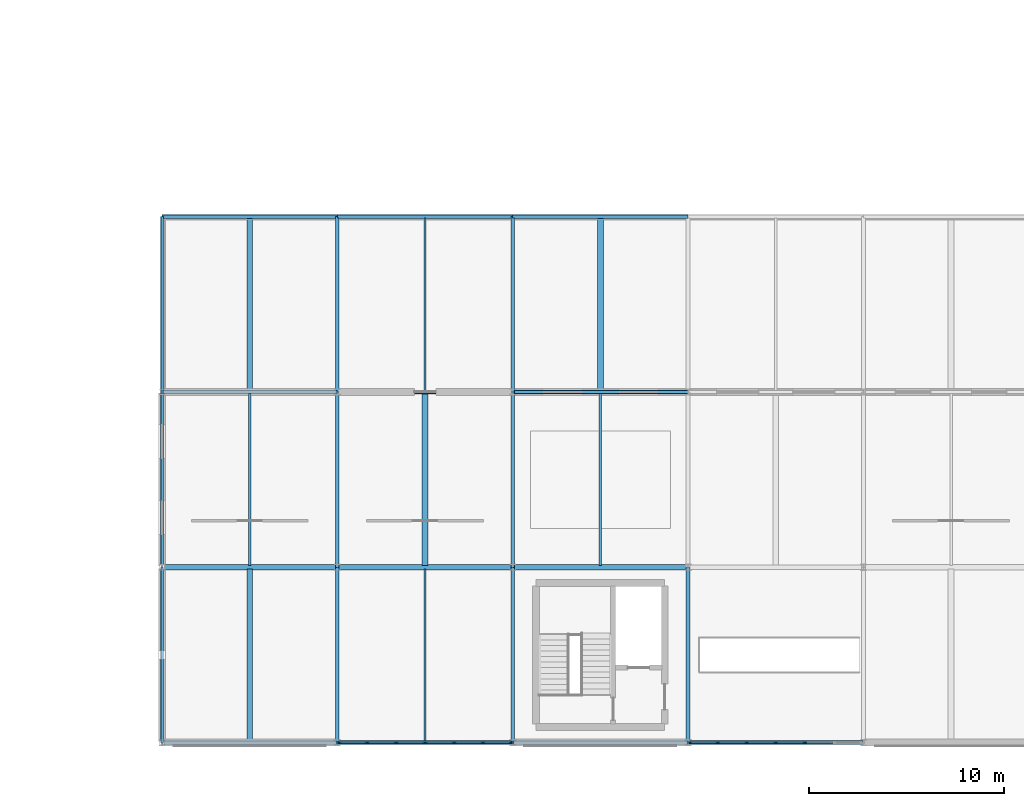
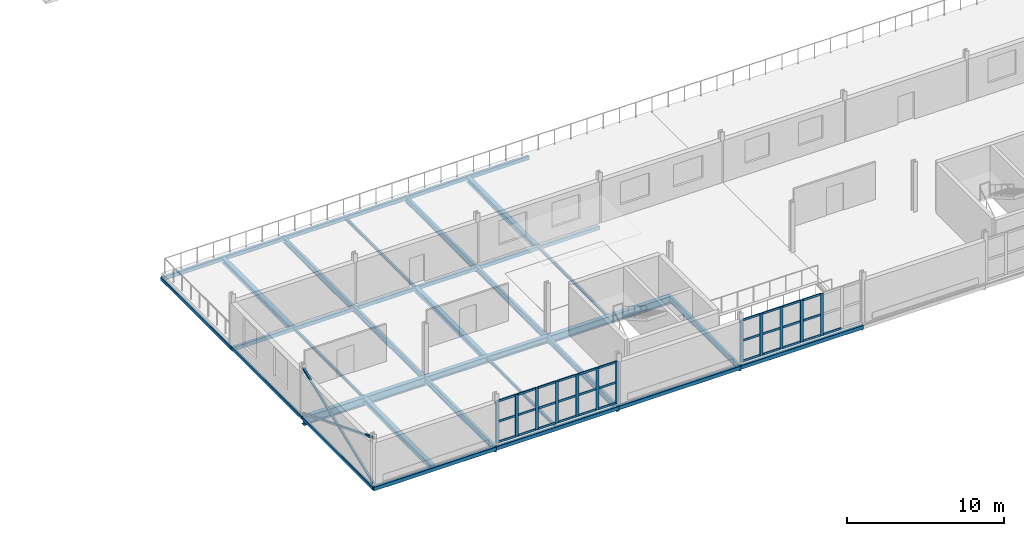
# One storey, part 28 of 123: 46 members, 31 beams, 2 elements without a shape of their own.
"""IFC4 building model written with IfcOpenShell, lengths in metres."""

from ifc_helpers import new_model, si_unit, direction, frame, origin, origin_2d, place, context, subcontext, project, spatial, rectangle, hollow_rectangle, i_section, extrude, material, material_profile, profile_set, type_object, element, aggregate, save


model = new_model("IFC4")

# Units and contexts
model_context = context("Model", 3, precision=1e-05, world=origin(), true_north=direction((0.0, 1.0)))
body_context = subcontext(model_context, "Body", "Model", "MODEL_VIEW")
ifc_project = project(units=[si_unit("LENGTHUNIT", "METRE"), si_unit("AREAUNIT", "SQUARE_METRE"), si_unit("VOLUMEUNIT", "CUBIC_METRE"), si_unit("PLANEANGLEUNIT", "RADIAN"), si_unit("MASSUNIT", "GRAM", prefix="KILO")], contexts=[model_context])

# Site, building, storey
site_placement = place(None, origin())
site = spatial("IfcSite", under=ifc_project, at=site_placement, CompositionType="ELEMENT")
building_placement = place(site_placement, origin())
building = spatial("IfcBuilding", under=site, at=building_placement, Name="Kildeholm Park Wholesale Market", CompositionType="ELEMENT")
storey_placement = place(building_placement, frame((0.0, 0.0, 9.60009765625)))
storey = spatial("IfcBuildingStorey", under=building, at=storey_placement, Name="L02", CompositionType="ELEMENT", Elevation=9.60009765625)

# Beams
ifc_material_1 = material(Name="Steel S355", Category="steel")
ifc_material_profile_1 = material_profile(ifc_material_1, i_section(OverallWidth=0.18994140625, OverallDepth=0.449951171875, WebThickness=0.009521484375, FlangeThickness=0.0146484375, FilletRadius=0.02099609375, at=origin_2d()), Name="IPE 450")
ifc_profile_set_1 = profile_set([ifc_material_profile_1], Name="Steel S355")
beam_type_1 = type_object("IfcBeamType", Name="Beam B-P02 IPE 450", PredefinedType="BEAM", material=ifc_profile_set_1)
for number, where, z_axis, x_axis, name in (
    (1, (18.0, 18.0, -0.51513671875), (0.0, 1.0, 0.0), (-1.0, 0.0, 0.0), "Beam BM-V5W-L02-Y-018-018 BM-1349"),
    (2, (27.0, 18.0, -0.51513671875), (0.0, 1.0, 0.0), (-1.0, 0.0, 0.0), "Beam BM-V5W-L02-Y-027-018 BM-1353"),
    (3, (18.0, 0.0, -0.465087890625), (0.0, 1.0, 0.0), (-1.0, 0.0, 0.0), "Beam BM-V5W-L02-Y-018-000 BM-1384"),
    (4, (18.0, 9.0, -0.465087890625), (0.0, 1.0, 0.0), (-1.0, 0.0, 0.0), "Beam BM-V5W-L02-Y-018-009 BM-1387"),
    (5, (27.0, 0.0, -0.465087890625), (0.0, 1.0, 0.0), (-1.0, 0.0, 0.0), "Beam BM-V5W-L02-Y-027-000 BM-1390"),
    (6, (27.0, 9.0, -0.465087890625), (0.0, 1.0, 0.0), (-1.0, 0.0, 0.0), "Beam BM-V5W-L02-Y-027-009 BM-1392"),
    (7, (36.0, 0.0, -0.465087890625), (0.0, 1.0, 0.0), (-1.0, 0.0, 0.0), "Beam BM-V5W-L02-Y-036-000 BM-1395"),
):
    element("IfcBeam", number, at=place(storey_placement, frame(where, z_axis=z_axis, x_axis=x_axis)), inside=storey, type_object=beam_type_1, Name=name, PredefinedType="BEAM", context=body_context, shape_type="SweptSolid", body=[
        extrude(i_section(OverallWidth=0.18994140625, OverallDepth=0.449951171875, WebThickness=0.009521484375, FlangeThickness=0.0146484375, FilletRadius=0.02099609375, at=origin_2d()), origin(), (0.0, 0.0, 1.0), 9.0),
    ])
ifc_material_profile_2 = material_profile(ifc_material_1, i_section(OverallWidth=0.300048828125, OverallDepth=0.64990234375, WebThickness=0.01611328125, FlangeThickness=0.031005859375, FilletRadius=0.027099609375, at=origin_2d()), Name="HEB 650")
ifc_profile_set_2 = profile_set([ifc_material_profile_2], Name="Steel S355")
beam_type_2 = type_object("IfcBeamType", Name="Beam B-X04 HEB 650", PredefinedType="BEAM", material=ifc_profile_set_2)
beam_1_placement = place(storey_placement, frame((9.0, 9.0, -0.565185546875), z_axis=(1.0, 0.0, 0.0), x_axis=(0.0, 1.0, 0.0)))
element("IfcBeam", 8, at=beam_1_placement, inside=storey, type_object=beam_type_2, Name="Beam BM-V5W-L02-X-009-009 BM-1380", PredefinedType="BEAM", context=body_context, shape_type="SweptSolid", body=[
    extrude(i_section(OverallWidth=0.300048828125, OverallDepth=0.64990234375, WebThickness=0.01611328125, FlangeThickness=0.031005859375, FilletRadius=0.027099609375, at=origin_2d()), origin(), (0.0, 0.0, 1.0), 9.0),
])
ifc_material_profile_3 = material_profile(ifc_material_1, i_section(OverallWidth=0.300048828125, OverallDepth=0.5, WebThickness=0.014404296875, FlangeThickness=0.028076171875, FilletRadius=0.027099609375, at=origin_2d()), Name="HEB 500")
ifc_profile_set_3 = profile_set([ifc_material_profile_3], Name="Steel S355")
beam_type_3 = type_object("IfcBeamType", Name="Beam B-X05 HEB 500", PredefinedType="BEAM", material=ifc_profile_set_3)
beam_2_placement = place(storey_placement, frame((18.0, 9.0, -0.489990234375), z_axis=(1.0, 0.0, 0.0), x_axis=(0.0, 1.0, 0.0)))
element("IfcBeam", 9, at=beam_2_placement, inside=storey, type_object=beam_type_3, Name="Beam BM-V5W-L02-X-018-009 BM-1386", PredefinedType="BEAM", context=body_context, shape_type="SweptSolid", body=[
    extrude(i_section(OverallWidth=0.300048828125, OverallDepth=0.5, WebThickness=0.014404296875, FlangeThickness=0.028076171875, FilletRadius=0.027099609375, at=origin_2d()), origin(), (0.0, 0.0, 1.0), 9.0),
])
ifc_material_profile_4 = material_profile(ifc_material_1, i_section(OverallWidth=0.300048828125, OverallDepth=0.60009765625, WebThickness=0.015380859375, FlangeThickness=0.030029296875, FilletRadius=0.027099609375, at=origin_2d()), Name="HEB 600")
ifc_profile_set_4 = profile_set([ifc_material_profile_4], Name="Steel S355")
beam_type_4 = type_object("IfcBeamType", Name="Beam B-X06 HEB 600", PredefinedType="BEAM", material=ifc_profile_set_4)
beam_3_placement = place(storey_placement, frame((27.0, 9.0, -0.544189453125), z_axis=(1.0, 0.0, 0.0), x_axis=(0.0, 1.0, 0.0)))
element("IfcBeam", 10, at=beam_3_placement, inside=storey, type_object=beam_type_4, Name="Beam BM-V5W-L02-X-027-009 BM-1391", PredefinedType="BEAM", context=body_context, shape_type="SweptSolid", body=[
    extrude(i_section(OverallWidth=0.300048828125, OverallDepth=0.60009765625, WebThickness=0.015380859375, FlangeThickness=0.030029296875, FilletRadius=0.027099609375, at=origin_2d()), origin(), (0.0, 0.0, 1.0), 9.0),
])
ifc_material_profile_5 = material_profile(ifc_material_1, i_section(OverallWidth=0.1201171875, OverallDepth=0.239990234375, WebThickness=0.006103515625, FlangeThickness=0.009765625, FilletRadius=0.014892578125, at=origin_2d()), Name="IPE 240")
ifc_profile_set_5 = profile_set([ifc_material_profile_5], Name="Steel S355")
beam_type_5 = type_object("IfcBeamType", Name="Beam J-01 IPE 240", PredefinedType="JOIST", material=ifc_profile_set_5)
for number, where, z_axis, x_axis, name in (
    (11, (22.5, 18.0849609375, -0.41015625), (0.0, 1.0, 0.0), (-1.0, 0.0, 0.0), "Beam JT-V5W-L02-018-018 BM-1350"),
    (12, (13.5, 9.0849609375, -0.360107421875), (0.0, 1.0, 0.0), (-1.0, 0.0, 0.0), "Beam JT-V5W-L02-009-009 BM-1382"),
    (13, (22.5, 0.0849609375, -0.360107421875), (0.0, 1.0, 0.0), (-1.0, 0.0, 0.0), "Beam JT-V5W-L02-018-000 BM-1385"),
    (14, (31.5, 9.0849609375, -0.360107421875), (0.0, 1.0, 0.0), (-1.0, 0.0, 0.0), "Beam JT-V5W-L02-027-009 BM-1393"),
):
    element("IfcBeam", number, at=place(storey_placement, frame(where, z_axis=z_axis, x_axis=x_axis)), inside=storey, type_object=beam_type_5, Name=name, PredefinedType="JOIST", context=body_context, shape_type="SweptSolid", body=[
        extrude(i_section(OverallWidth=0.1201171875, OverallDepth=0.239990234375, WebThickness=0.006103515625, FlangeThickness=0.009765625, FilletRadius=0.014892578125, at=origin_2d()), origin(), (0.0, 0.0, 1.0), 8.830078125),
    ])
ifc_material_profile_6 = material_profile(ifc_material_1, i_section(OverallWidth=0.300048828125, OverallDepth=0.389892578125, WebThickness=0.010986328125, FlangeThickness=0.01904296875, FilletRadius=0.027099609375, at=origin_2d()), Name="HEA 400")
ifc_profile_set_6 = profile_set([ifc_material_profile_6], Name="Steel S355")
beam_type_6 = type_object("IfcBeamType", Name="Beam J-06 HEA 400", PredefinedType="JOIST", material=ifc_profile_set_6)
for number, where, z_axis, x_axis, name in (
    (15, (13.5, 18.0849609375, -0.485107421875), (0.0, 1.0, 0.0), (-1.0, 0.0, 0.0), "Beam JT-V5W-L02-009-018 BM-1346"),
    (16, (31.5, 18.0849609375, -0.485107421875), (0.0, 1.0, 0.0), (-1.0, 0.0, 0.0), "Beam JT-V5W-L02-027-018 BM-1354"),
    (17, (13.5, 0.0849609375, -0.43505859375), (0.0, 1.0, 0.0), (-1.0, 0.0, 0.0), "Beam JT-V5W-L02-009-000 BM-1379"),
    (18, (22.5, 9.0849609375, -0.43505859375), (0.0, 1.0, 0.0), (-1.0, 0.0, 0.0), "Beam JT-V5W-L02-018-009 BM-1388"),
):
    element("IfcBeam", number, at=place(storey_placement, frame(where, z_axis=z_axis, x_axis=x_axis)), inside=storey, type_object=beam_type_6, Name=name, PredefinedType="JOIST", context=body_context, shape_type="SweptSolid", body=[
        extrude(i_section(OverallWidth=0.300048828125, OverallDepth=0.389892578125, WebThickness=0.010986328125, FlangeThickness=0.01904296875, FilletRadius=0.027099609375, at=origin_2d()), origin(), (0.0, 0.0, 1.0), 8.830078125),
    ])
ifc_material_profile_7 = material_profile(ifc_material_1, hollow_rectangle(XDim=0.199951171875, YDim=0.300048828125, WallThickness=0.012451171875, InnerFilletRadius=0.012451171875, OuterFilletRadius=0.02490234375, at=origin_2d()), Name="RHS 300x200x12.5")
ifc_profile_set_7 = profile_set([ifc_material_profile_7], Name="Steel S355")
beam_type_7 = type_object("IfcBeamType", Name="Beam SP-01 RHS 300x200x12.5", PredefinedType="SPANDREL", material=ifc_profile_set_7)
for number, where, z_axis, x_axis, name in (
    (19, (9.0, 18.0, -0.440185546875), (1.0, 0.0, 0.0), (0.0, 1.0, 0.0), "Beam BM-V5W-L02-X-009-018 BM-1344"),
    (20, (9.0, 27.0, -0.440185546875), (1.0, 0.0, 0.0), (0.0, 1.0, 0.0), "Beam BM-V5W-L02-X-009-027 BM-1347"),
    (21, (18.0, 18.0, -0.440185546875), (1.0, 0.0, 0.0), (0.0, 1.0, 0.0), "Beam BM-V5W-L02-X-018-018 BM-1348"),
    (22, (18.0, 27.0, -0.440185546875), (1.0, 0.0, 0.0), (0.0, 1.0, 0.0), "Beam BM-V5W-L02-X-018-027 BM-1351"),
    (23, (27.0, 18.0, -0.440185546875), (1.0, 0.0, 0.0), (0.0, 1.0, 0.0), "Beam BM-V5W-L02-X-027-018 BM-1352"),
    (24, (27.0, 27.0, -0.440185546875), (1.0, 0.0, 0.0), (0.0, 1.0, 0.0), "Beam BM-V5W-L02-X-027-027 BM-1355"),
    (25, (9.0, 0.0, -0.39404296875), (1.0, 0.0, 0.0), (0.0, 1.0, 0.0), "Beam BM-V5W-L02-X-009-000 BM-1377"),
    (26, (18.0, 0.0, -0.39404296875), (1.0, 0.0, 0.0), (0.0, 1.0, 0.0), "Beam BM-V5W-L02-X-018-000 BM-1383"),
    (27, (27.0, 0.0, -0.39404296875), (1.0, 0.0, 0.0), (0.0, 1.0, 0.0), "Beam BM-V5W-L02-X-027-000 BM-1389"),
    (28, (36.0, 0.0, -0.39404296875), (1.0, 0.0, 0.0), (0.0, 1.0, 0.0), "Beam BM-V5W-L02-X-036-000 BM-1394"),
):
    element("IfcBeam", number, at=place(storey_placement, frame(where, z_axis=z_axis, x_axis=x_axis)), inside=storey, type_object=beam_type_7, Name=name, PredefinedType="SPANDREL", context=body_context, shape_type="SweptSolid", body=[
        extrude(hollow_rectangle(XDim=0.199951171875, YDim=0.300048828125, WallThickness=0.012451171875, InnerFilletRadius=0.012451171875, OuterFilletRadius=0.02490234375, at=origin_2d()), origin(), (0.0, 0.0, 1.0), 9.0),
    ])
ifc_material_profile_8 = material_profile(ifc_material_1, hollow_rectangle(XDim=0.14990234375, YDim=0.25, WallThickness=0.010009765625, InnerFilletRadius=0.010009765625, OuterFilletRadius=0.02001953125, at=origin_2d()), Name="RHS 250x150x10")
ifc_profile_set_8 = profile_set([ifc_material_profile_8], Name="Steel S355")
beam_type_8 = type_object("IfcBeamType", Name="Beam SP-02 RHS 250x150x10", PredefinedType="SPANDREL", material=ifc_profile_set_8)
for number, where, z_axis, x_axis, name in (
    (29, (9.0, 18.0, -0.4150390625), (0.0, 1.0, 0.0), (-1.0, 0.0, 0.0), "Beam BM-V5W-L02-Y-009-018 BM-1345"),
    (30, (9.0, 0.0, -0.364990234375), (0.0, 1.0, 0.0), (-1.0, 0.0, 0.0), "Beam BM-V5W-L02-Y-009-000 BM-1378"),
    (31, (9.0, 9.0, -0.364990234375), (0.0, 1.0, 0.0), (-1.0, 0.0, 0.0), "Beam BM-V5W-L02-Y-009-009 BM-1381"),
):
    element("IfcBeam", number, at=place(storey_placement, frame(where, z_axis=z_axis, x_axis=x_axis)), inside=storey, type_object=beam_type_8, Name=name, PredefinedType="SPANDREL", context=body_context, shape_type="SweptSolid", body=[
        extrude(hollow_rectangle(XDim=0.14990234375, YDim=0.25, WallThickness=0.010009765625, InnerFilletRadius=0.010009765625, OuterFilletRadius=0.02001953125, at=origin_2d()), origin(), (0.0, 0.0, 1.0), 9.0),
    ])

# Curtain wall, members
ifc_material_2 = material(Name="Anodised aluminium and low-E double-glazed glass", Category="aluminium")
curtain_wall_type = type_object("IfcCurtainWallType", Name="Park wing thermally broken curtain wall CW-03", PredefinedType="NOTDEFINED", material=ifc_material_2)
curtain_wall_1_placement = place(storey_placement, origin())
curtain_wall_1 = element("IfcCurtainWall", 32, at=curtain_wall_1_placement, inside=storey, type_object=curtain_wall_type, Name="Curtain wall CW-V5W-L02-S-02 CW-0147", PredefinedType="NOTDEFINED")
ifc_material_3 = material(Name="Anodised aluminium", Category="aluminium")
ifc_material_profile_9 = material_profile(ifc_material_3, rectangle(XDim=0.074951171875, YDim=0.219970703125, at=origin_2d()), Name="CWM 75x220")
ifc_profile_set_9 = profile_set([ifc_material_profile_9], Name="Anodised aluminium")
member_type_1 = type_object("IfcMemberType", Name="Curtain-wall mullion CWM-2 CWM 75x220", PredefinedType="MULLION", material=ifc_profile_set_9)
member_1_placement = place(storey_placement, frame((18.077392578125, 0.0, 0.0), z_axis=(0.0, 0.0, 1.0), x_axis=(0.0, 1.0, 0.0)))
member_1 = element("IfcMember", 33, at=member_1_placement, type_object=member_type_1, Name="CW-03 mullion 1 MEM-4540", PredefinedType="MULLION", context=body_context, shape_type="SweptSolid", body=[
    extrude(rectangle(XDim=0.074951171875, YDim=0.219970703125, at=origin_2d()), origin(), (0.0, 0.0, 1.0), 3.25),
])
member_2_placement = place(storey_placement, frame((19.526611328125, 0.0, 0.0), z_axis=(0.0, 0.0, 1.0), x_axis=(0.0, 1.0, 0.0)))
member_2 = element("IfcMember", 34, at=member_2_placement, type_object=member_type_1, Name="CW-03 mullion 2 MEM-4541", PredefinedType="MULLION", context=body_context, shape_type="SweptSolid", body=[
    extrude(rectangle(XDim=0.074951171875, YDim=0.219970703125, at=origin_2d()), origin(), (0.0, 0.0, 1.0), 3.25),
])
member_3_placement = place(storey_placement, frame((21.013427734375, 0.0, 0.0), z_axis=(0.0, 0.0, 1.0), x_axis=(0.0, 1.0, 0.0)))
member_3 = element("IfcMember", 35, at=member_3_placement, type_object=member_type_1, Name="CW-03 mullion 3 MEM-4542", PredefinedType="MULLION", context=body_context, shape_type="SweptSolid", body=[
    extrude(rectangle(XDim=0.074951171875, YDim=0.219970703125, at=origin_2d()), origin(), (0.0, 0.0, 1.0), 3.25),
])
member_4_placement = place(storey_placement, frame((22.5, 0.0, 0.0), z_axis=(0.0, 0.0, 1.0), x_axis=(0.0, 1.0, 0.0)))
member_4 = element("IfcMember", 36, at=member_4_placement, type_object=member_type_1, Name="CW-03 mullion 4 MEM-4543", PredefinedType="MULLION", context=body_context, shape_type="SweptSolid", body=[
    extrude(rectangle(XDim=0.074951171875, YDim=0.219970703125, at=origin_2d()), origin(), (0.0, 0.0, 1.0), 3.25),
])
member_5_placement = place(storey_placement, frame((23.986572265625, 0.0, 0.0), z_axis=(0.0, 0.0, 1.0), x_axis=(0.0, 1.0, 0.0)))
member_5 = element("IfcMember", 37, at=member_5_placement, type_object=member_type_1, Name="CW-03 mullion 5 MEM-4544", PredefinedType="MULLION", context=body_context, shape_type="SweptSolid", body=[
    extrude(rectangle(XDim=0.074951171875, YDim=0.219970703125, at=origin_2d()), origin(), (0.0, 0.0, 1.0), 3.25),
])
member_6_placement = place(storey_placement, frame((25.473388671875, 0.0, 0.0), z_axis=(0.0, 0.0, 1.0), x_axis=(0.0, 1.0, 0.0)))
member_6 = element("IfcMember", 38, at=member_6_placement, type_object=member_type_1, Name="CW-03 mullion 6 MEM-4545", PredefinedType="MULLION", context=body_context, shape_type="SweptSolid", body=[
    extrude(rectangle(XDim=0.074951171875, YDim=0.219970703125, at=origin_2d()), origin(), (0.0, 0.0, 1.0), 3.25),
])
member_7_placement = place(storey_placement, frame((26.922607421875, 0.0, 0.0), z_axis=(0.0, 0.0, 1.0), x_axis=(0.0, 1.0, 0.0)))
member_7 = element("IfcMember", 39, at=member_7_placement, type_object=member_type_1, Name="CW-03 mullion 7 MEM-4546", PredefinedType="MULLION", context=body_context, shape_type="SweptSolid", body=[
    extrude(rectangle(XDim=0.074951171875, YDim=0.219970703125, at=origin_2d()), origin(), (0.0, 0.0, 1.0), 3.25),
])

curtain_wall_2_placement = place(storey_placement, origin())
curtain_wall_2 = element("IfcCurtainWall", 40, at=curtain_wall_2_placement, inside=storey, type_object=curtain_wall_type, Name="Curtain wall CW-V5W-L02-S-04 CW-0148", PredefinedType="NOTDEFINED")
member_8_placement = place(storey_placement, frame((36.077392578125, 0.0, 0.0), z_axis=(0.0, 0.0, 1.0), x_axis=(0.0, 1.0, 0.0)))
member_8 = element("IfcMember", 41, at=member_8_placement, type_object=member_type_1, Name="CW-03 mullion 1 MEM-4565", PredefinedType="MULLION", context=body_context, shape_type="SweptSolid", body=[
    extrude(rectangle(XDim=0.074951171875, YDim=0.219970703125, at=origin_2d()), origin(), (0.0, 0.0, 1.0), 3.25),
])
member_9_placement = place(storey_placement, frame((37.526611328125, 0.0, 0.0), z_axis=(0.0, 0.0, 1.0), x_axis=(0.0, 1.0, 0.0)))
member_9 = element("IfcMember", 42, at=member_9_placement, type_object=member_type_1, Name="CW-03 mullion 2 MEM-4566", PredefinedType="MULLION", context=body_context, shape_type="SweptSolid", body=[
    extrude(rectangle(XDim=0.074951171875, YDim=0.219970703125, at=origin_2d()), origin(), (0.0, 0.0, 1.0), 3.25),
])
member_10_placement = place(storey_placement, frame((39.013427734375, 0.0, 0.0), z_axis=(0.0, 0.0, 1.0), x_axis=(0.0, 1.0, 0.0)))
member_10 = element("IfcMember", 43, at=member_10_placement, type_object=member_type_1, Name="CW-03 mullion 3 MEM-4567", PredefinedType="MULLION", context=body_context, shape_type="SweptSolid", body=[
    extrude(rectangle(XDim=0.074951171875, YDim=0.219970703125, at=origin_2d()), origin(), (0.0, 0.0, 1.0), 3.25),
])
member_11_placement = place(storey_placement, frame((40.5, 0.0, 0.0), z_axis=(0.0, 0.0, 1.0), x_axis=(0.0, 1.0, 0.0)))
member_11 = element("IfcMember", 44, at=member_11_placement, type_object=member_type_1, Name="CW-03 mullion 4 MEM-4568", PredefinedType="MULLION", context=body_context, shape_type="SweptSolid", body=[
    extrude(rectangle(XDim=0.074951171875, YDim=0.219970703125, at=origin_2d()), origin(), (0.0, 0.0, 1.0), 3.25),
])
member_12_placement = place(storey_placement, frame((41.986572265625, 0.0, 0.0), z_axis=(0.0, 0.0, 1.0), x_axis=(0.0, 1.0, 0.0)))
member_12 = element("IfcMember", 45, at=member_12_placement, type_object=member_type_1, Name="CW-03 mullion 5 MEM-4569", PredefinedType="MULLION", context=body_context, shape_type="SweptSolid", body=[
    extrude(rectangle(XDim=0.074951171875, YDim=0.219970703125, at=origin_2d()), origin(), (0.0, 0.0, 1.0), 3.25),
])

# Member
ifc_material_profile_10 = material_profile(ifc_material_3, rectangle(XDim=0.074951171875, YDim=0.159912109375, at=origin_2d()), Name="CWT 75x160")
ifc_profile_set_10 = profile_set([ifc_material_profile_10], Name="Anodised aluminium")
member_type_2 = type_object("IfcMemberType", Name="Curtain-wall transom CWT-2 CWT 75x160", PredefinedType="USERDEFINED", material=ifc_profile_set_10)
member_13_placement = place(storey_placement, frame((18.114990234375, 0.0, 0.037353515625), z_axis=(1.0, 0.0, 0.0), x_axis=(0.0, 1.0, 0.0)))
member_13 = element("IfcMember", 46, at=member_13_placement, type_object=member_type_2, Name="CW-03 transom 1.1 MEM-4547", ObjectType="TRANSOM", PredefinedType="USERDEFINED", context=body_context, shape_type="SweptSolid", body=[
    extrude(rectangle(XDim=0.074951171875, YDim=0.159912109375, at=origin_2d()), origin(), (0.0, 0.0, 1.0), 1.374267578125),
])

member_14_placement = place(storey_placement, frame((18.114990234375, 0.0, 1.625), z_axis=(1.0, 0.0, 0.0), x_axis=(0.0, 1.0, 0.0)))
member_14 = element("IfcMember", 47, at=member_14_placement, type_object=member_type_2, Name="CW-03 transom 1.2 MEM-4548", ObjectType="TRANSOM", PredefinedType="USERDEFINED", context=body_context, shape_type="SweptSolid", body=[
    extrude(rectangle(XDim=0.074951171875, YDim=0.159912109375, at=origin_2d()), origin(), (0.0, 0.0, 1.0), 1.374267578125),
])

member_15_placement = place(storey_placement, frame((18.114990234375, 0.0, 3.21240234375), z_axis=(1.0, 0.0, 0.0), x_axis=(0.0, 1.0, 0.0)))
member_15 = element("IfcMember", 48, at=member_15_placement, type_object=member_type_2, Name="CW-03 transom 1.3 MEM-4549", ObjectType="TRANSOM", PredefinedType="USERDEFINED", context=body_context, shape_type="SweptSolid", body=[
    extrude(rectangle(XDim=0.074951171875, YDim=0.159912109375, at=origin_2d()), origin(), (0.0, 0.0, 1.0), 1.374267578125),
])

member_16_placement = place(storey_placement, frame((19.564208984375, 0.0, 0.037353515625), z_axis=(1.0, 0.0, 0.0), x_axis=(0.0, 1.0, 0.0)))
member_16 = element("IfcMember", 49, at=member_16_placement, type_object=member_type_2, Name="CW-03 transom 2.1 MEM-4550", ObjectType="TRANSOM", PredefinedType="USERDEFINED", context=body_context, shape_type="SweptSolid", body=[
    extrude(rectangle(XDim=0.074951171875, YDim=0.159912109375, at=origin_2d()), origin(), (0.0, 0.0, 1.0), 1.41162109375),
])

member_17_placement = place(storey_placement, frame((19.564208984375, 0.0, 1.625), z_axis=(1.0, 0.0, 0.0), x_axis=(0.0, 1.0, 0.0)))
member_17 = element("IfcMember", 50, at=member_17_placement, type_object=member_type_2, Name="CW-03 transom 2.2 MEM-4551", ObjectType="TRANSOM", PredefinedType="USERDEFINED", context=body_context, shape_type="SweptSolid", body=[
    extrude(rectangle(XDim=0.074951171875, YDim=0.159912109375, at=origin_2d()), origin(), (0.0, 0.0, 1.0), 1.41162109375),
])

member_18_placement = place(storey_placement, frame((19.564208984375, 0.0, 3.21240234375), z_axis=(1.0, 0.0, 0.0), x_axis=(0.0, 1.0, 0.0)))
member_18 = element("IfcMember", 51, at=member_18_placement, type_object=member_type_2, Name="CW-03 transom 2.3 MEM-4552", ObjectType="TRANSOM", PredefinedType="USERDEFINED", context=body_context, shape_type="SweptSolid", body=[
    extrude(rectangle(XDim=0.074951171875, YDim=0.159912109375, at=origin_2d()), origin(), (0.0, 0.0, 1.0), 1.41162109375),
])

member_19_placement = place(storey_placement, frame((21.05078125, 0.0, 0.037353515625), z_axis=(1.0, 0.0, 0.0), x_axis=(0.0, 1.0, 0.0)))
member_19 = element("IfcMember", 52, at=member_19_placement, type_object=member_type_2, Name="CW-03 transom 3.1 MEM-4553", ObjectType="TRANSOM", PredefinedType="USERDEFINED", context=body_context, shape_type="SweptSolid", body=[
    extrude(rectangle(XDim=0.074951171875, YDim=0.159912109375, at=origin_2d()), origin(), (0.0, 0.0, 1.0), 1.41162109375),
])

member_20_placement = place(storey_placement, frame((21.05078125, 0.0, 1.625), z_axis=(1.0, 0.0, 0.0), x_axis=(0.0, 1.0, 0.0)))
member_20 = element("IfcMember", 53, at=member_20_placement, type_object=member_type_2, Name="CW-03 transom 3.2 MEM-4554", ObjectType="TRANSOM", PredefinedType="USERDEFINED", context=body_context, shape_type="SweptSolid", body=[
    extrude(rectangle(XDim=0.074951171875, YDim=0.159912109375, at=origin_2d()), origin(), (0.0, 0.0, 1.0), 1.41162109375),
])

member_21_placement = place(storey_placement, frame((21.05078125, 0.0, 3.21240234375), z_axis=(1.0, 0.0, 0.0), x_axis=(0.0, 1.0, 0.0)))
member_21 = element("IfcMember", 54, at=member_21_placement, type_object=member_type_2, Name="CW-03 transom 3.3 MEM-4555", ObjectType="TRANSOM", PredefinedType="USERDEFINED", context=body_context, shape_type="SweptSolid", body=[
    extrude(rectangle(XDim=0.074951171875, YDim=0.159912109375, at=origin_2d()), origin(), (0.0, 0.0, 1.0), 1.41162109375),
])

member_22_placement = place(storey_placement, frame((22.53759765625, 0.0, 0.037353515625), z_axis=(1.0, 0.0, 0.0), x_axis=(0.0, 1.0, 0.0)))
member_22 = element("IfcMember", 55, at=member_22_placement, type_object=member_type_2, Name="CW-03 transom 4.1 MEM-4556", ObjectType="TRANSOM", PredefinedType="USERDEFINED", context=body_context, shape_type="SweptSolid", body=[
    extrude(rectangle(XDim=0.074951171875, YDim=0.159912109375, at=origin_2d()), origin(), (0.0, 0.0, 1.0), 1.41162109375),
])

member_23_placement = place(storey_placement, frame((22.53759765625, 0.0, 1.625), z_axis=(1.0, 0.0, 0.0), x_axis=(0.0, 1.0, 0.0)))
member_23 = element("IfcMember", 56, at=member_23_placement, type_object=member_type_2, Name="CW-03 transom 4.2 MEM-4557", ObjectType="TRANSOM", PredefinedType="USERDEFINED", context=body_context, shape_type="SweptSolid", body=[
    extrude(rectangle(XDim=0.074951171875, YDim=0.159912109375, at=origin_2d()), origin(), (0.0, 0.0, 1.0), 1.41162109375),
])

member_24_placement = place(storey_placement, frame((22.53759765625, 0.0, 3.21240234375), z_axis=(1.0, 0.0, 0.0), x_axis=(0.0, 1.0, 0.0)))
member_24 = element("IfcMember", 57, at=member_24_placement, type_object=member_type_2, Name="CW-03 transom 4.3 MEM-4558", ObjectType="TRANSOM", PredefinedType="USERDEFINED", context=body_context, shape_type="SweptSolid", body=[
    extrude(rectangle(XDim=0.074951171875, YDim=0.159912109375, at=origin_2d()), origin(), (0.0, 0.0, 1.0), 1.41162109375),
])

member_25_placement = place(storey_placement, frame((24.024169921875, 0.0, 0.037353515625), z_axis=(1.0, 0.0, 0.0), x_axis=(0.0, 1.0, 0.0)))
member_25 = element("IfcMember", 58, at=member_25_placement, type_object=member_type_2, Name="CW-03 transom 5.1 MEM-4559", ObjectType="TRANSOM", PredefinedType="USERDEFINED", context=body_context, shape_type="SweptSolid", body=[
    extrude(rectangle(XDim=0.074951171875, YDim=0.159912109375, at=origin_2d()), origin(), (0.0, 0.0, 1.0), 1.41162109375),
])

member_26_placement = place(storey_placement, frame((24.024169921875, 0.0, 1.625), z_axis=(1.0, 0.0, 0.0), x_axis=(0.0, 1.0, 0.0)))
member_26 = element("IfcMember", 59, at=member_26_placement, type_object=member_type_2, Name="CW-03 transom 5.2 MEM-4560", ObjectType="TRANSOM", PredefinedType="USERDEFINED", context=body_context, shape_type="SweptSolid", body=[
    extrude(rectangle(XDim=0.074951171875, YDim=0.159912109375, at=origin_2d()), origin(), (0.0, 0.0, 1.0), 1.41162109375),
])

member_27_placement = place(storey_placement, frame((24.024169921875, 0.0, 3.21240234375), z_axis=(1.0, 0.0, 0.0), x_axis=(0.0, 1.0, 0.0)))
member_27 = element("IfcMember", 60, at=member_27_placement, type_object=member_type_2, Name="CW-03 transom 5.3 MEM-4561", ObjectType="TRANSOM", PredefinedType="USERDEFINED", context=body_context, shape_type="SweptSolid", body=[
    extrude(rectangle(XDim=0.074951171875, YDim=0.159912109375, at=origin_2d()), origin(), (0.0, 0.0, 1.0), 1.41162109375),
])

member_28_placement = place(storey_placement, frame((25.5107421875, 0.0, 0.037353515625), z_axis=(1.0, 0.0, 0.0), x_axis=(0.0, 1.0, 0.0)))
member_28 = element("IfcMember", 61, at=member_28_placement, type_object=member_type_2, Name="CW-03 transom 6.1 MEM-4562", ObjectType="TRANSOM", PredefinedType="USERDEFINED", context=body_context, shape_type="SweptSolid", body=[
    extrude(rectangle(XDim=0.074951171875, YDim=0.159912109375, at=origin_2d()), origin(), (0.0, 0.0, 1.0), 1.374267578125),
])

member_29_placement = place(storey_placement, frame((25.5107421875, 0.0, 1.625), z_axis=(1.0, 0.0, 0.0), x_axis=(0.0, 1.0, 0.0)))
member_29 = element("IfcMember", 62, at=member_29_placement, type_object=member_type_2, Name="CW-03 transom 6.2 MEM-4563", ObjectType="TRANSOM", PredefinedType="USERDEFINED", context=body_context, shape_type="SweptSolid", body=[
    extrude(rectangle(XDim=0.074951171875, YDim=0.159912109375, at=origin_2d()), origin(), (0.0, 0.0, 1.0), 1.374267578125),
])

member_30_placement = place(storey_placement, frame((25.5107421875, 0.0, 3.21240234375), z_axis=(1.0, 0.0, 0.0), x_axis=(0.0, 1.0, 0.0)))
member_30 = element("IfcMember", 63, at=member_30_placement, type_object=member_type_2, Name="CW-03 transom 6.3 MEM-4564", ObjectType="TRANSOM", PredefinedType="USERDEFINED", context=body_context, shape_type="SweptSolid", body=[
    extrude(rectangle(XDim=0.074951171875, YDim=0.159912109375, at=origin_2d()), origin(), (0.0, 0.0, 1.0), 1.374267578125),
])

aggregate(curtain_wall_1, [member_1, member_2, member_3, member_4, member_5, member_6, member_7, member_13, member_14, member_15, member_16, member_17, member_18, member_19, member_20, member_21, member_22, member_23, member_24, member_25, member_26, member_27, member_28, member_29, member_30])

member_31_placement = place(storey_placement, frame((36.114990234375, 0.0, 0.037353515625), z_axis=(1.0, 0.0, 0.0), x_axis=(0.0, 1.0, 0.0)))
member_31 = element("IfcMember", 64, at=member_31_placement, type_object=member_type_2, Name="CW-03 transom 1.1 MEM-4572", ObjectType="TRANSOM", PredefinedType="USERDEFINED", context=body_context, shape_type="SweptSolid", body=[
    extrude(rectangle(XDim=0.074951171875, YDim=0.159912109375, at=origin_2d()), origin(), (0.0, 0.0, 1.0), 1.374267578125),
])

member_32_placement = place(storey_placement, frame((36.114990234375, 0.0, 1.625), z_axis=(1.0, 0.0, 0.0), x_axis=(0.0, 1.0, 0.0)))
member_32 = element("IfcMember", 65, at=member_32_placement, type_object=member_type_2, Name="CW-03 transom 1.2 MEM-4573", ObjectType="TRANSOM", PredefinedType="USERDEFINED", context=body_context, shape_type="SweptSolid", body=[
    extrude(rectangle(XDim=0.074951171875, YDim=0.159912109375, at=origin_2d()), origin(), (0.0, 0.0, 1.0), 1.374267578125),
])

member_33_placement = place(storey_placement, frame((36.114990234375, 0.0, 3.21240234375), z_axis=(1.0, 0.0, 0.0), x_axis=(0.0, 1.0, 0.0)))
member_33 = element("IfcMember", 66, at=member_33_placement, type_object=member_type_2, Name="CW-03 transom 1.3 MEM-4574", ObjectType="TRANSOM", PredefinedType="USERDEFINED", context=body_context, shape_type="SweptSolid", body=[
    extrude(rectangle(XDim=0.074951171875, YDim=0.159912109375, at=origin_2d()), origin(), (0.0, 0.0, 1.0), 1.374267578125),
])

member_34_placement = place(storey_placement, frame((37.564208984375, 0.0, 0.037353515625), z_axis=(1.0, 0.0, 0.0), x_axis=(0.0, 1.0, 0.0)))
member_34 = element("IfcMember", 67, at=member_34_placement, type_object=member_type_2, Name="CW-03 transom 2.1 MEM-4575", ObjectType="TRANSOM", PredefinedType="USERDEFINED", context=body_context, shape_type="SweptSolid", body=[
    extrude(rectangle(XDim=0.074951171875, YDim=0.159912109375, at=origin_2d()), origin(), (0.0, 0.0, 1.0), 1.41162109375),
])

member_35_placement = place(storey_placement, frame((37.564208984375, 0.0, 1.625), z_axis=(1.0, 0.0, 0.0), x_axis=(0.0, 1.0, 0.0)))
member_35 = element("IfcMember", 68, at=member_35_placement, type_object=member_type_2, Name="CW-03 transom 2.2 MEM-4576", ObjectType="TRANSOM", PredefinedType="USERDEFINED", context=body_context, shape_type="SweptSolid", body=[
    extrude(rectangle(XDim=0.074951171875, YDim=0.159912109375, at=origin_2d()), origin(), (0.0, 0.0, 1.0), 1.41162109375),
])

member_36_placement = place(storey_placement, frame((37.564208984375, 0.0, 3.21240234375), z_axis=(1.0, 0.0, 0.0), x_axis=(0.0, 1.0, 0.0)))
member_36 = element("IfcMember", 69, at=member_36_placement, type_object=member_type_2, Name="CW-03 transom 2.3 MEM-4577", ObjectType="TRANSOM", PredefinedType="USERDEFINED", context=body_context, shape_type="SweptSolid", body=[
    extrude(rectangle(XDim=0.074951171875, YDim=0.159912109375, at=origin_2d()), origin(), (0.0, 0.0, 1.0), 1.41162109375),
])

member_37_placement = place(storey_placement, frame((39.05078125, 0.0, 0.037353515625), z_axis=(1.0, 0.0, 0.0), x_axis=(0.0, 1.0, 0.0)))
member_37 = element("IfcMember", 70, at=member_37_placement, type_object=member_type_2, Name="CW-03 transom 3.1 MEM-4578", ObjectType="TRANSOM", PredefinedType="USERDEFINED", context=body_context, shape_type="SweptSolid", body=[
    extrude(rectangle(XDim=0.074951171875, YDim=0.159912109375, at=origin_2d()), origin(), (0.0, 0.0, 1.0), 1.41162109375),
])

member_38_placement = place(storey_placement, frame((39.05078125, 0.0, 1.625), z_axis=(1.0, 0.0, 0.0), x_axis=(0.0, 1.0, 0.0)))
member_38 = element("IfcMember", 71, at=member_38_placement, type_object=member_type_2, Name="CW-03 transom 3.2 MEM-4579", ObjectType="TRANSOM", PredefinedType="USERDEFINED", context=body_context, shape_type="SweptSolid", body=[
    extrude(rectangle(XDim=0.074951171875, YDim=0.159912109375, at=origin_2d()), origin(), (0.0, 0.0, 1.0), 1.41162109375),
])

member_39_placement = place(storey_placement, frame((39.05078125, 0.0, 3.21240234375), z_axis=(1.0, 0.0, 0.0), x_axis=(0.0, 1.0, 0.0)))
member_39 = element("IfcMember", 72, at=member_39_placement, type_object=member_type_2, Name="CW-03 transom 3.3 MEM-4580", ObjectType="TRANSOM", PredefinedType="USERDEFINED", context=body_context, shape_type="SweptSolid", body=[
    extrude(rectangle(XDim=0.074951171875, YDim=0.159912109375, at=origin_2d()), origin(), (0.0, 0.0, 1.0), 1.41162109375),
])

member_40_placement = place(storey_placement, frame((40.53759765625, 0.0, 0.037353515625), z_axis=(1.0, 0.0, 0.0), x_axis=(0.0, 1.0, 0.0)))
member_40 = element("IfcMember", 73, at=member_40_placement, type_object=member_type_2, Name="CW-03 transom 4.1 MEM-4581", ObjectType="TRANSOM", PredefinedType="USERDEFINED", context=body_context, shape_type="SweptSolid", body=[
    extrude(rectangle(XDim=0.074951171875, YDim=0.159912109375, at=origin_2d()), origin(), (0.0, 0.0, 1.0), 1.41162109375),
])

member_41_placement = place(storey_placement, frame((40.53759765625, 0.0, 1.625), z_axis=(1.0, 0.0, 0.0), x_axis=(0.0, 1.0, 0.0)))
member_41 = element("IfcMember", 74, at=member_41_placement, type_object=member_type_2, Name="CW-03 transom 4.2 MEM-4582", ObjectType="TRANSOM", PredefinedType="USERDEFINED", context=body_context, shape_type="SweptSolid", body=[
    extrude(rectangle(XDim=0.074951171875, YDim=0.159912109375, at=origin_2d()), origin(), (0.0, 0.0, 1.0), 1.41162109375),
])

member_42_placement = place(storey_placement, frame((40.53759765625, 0.0, 3.21240234375), z_axis=(1.0, 0.0, 0.0), x_axis=(0.0, 1.0, 0.0)))
member_42 = element("IfcMember", 75, at=member_42_placement, type_object=member_type_2, Name="CW-03 transom 4.3 MEM-4583", ObjectType="TRANSOM", PredefinedType="USERDEFINED", context=body_context, shape_type="SweptSolid", body=[
    extrude(rectangle(XDim=0.074951171875, YDim=0.159912109375, at=origin_2d()), origin(), (0.0, 0.0, 1.0), 1.41162109375),
])

member_43_placement = place(storey_placement, frame((42.024169921875, 0.0, 0.037353515625), z_axis=(1.0, 0.0, 0.0), x_axis=(0.0, 1.0, 0.0)))
member_43 = element("IfcMember", 76, at=member_43_placement, type_object=member_type_2, Name="CW-03 transom 5.1 MEM-4584", ObjectType="TRANSOM", PredefinedType="USERDEFINED", context=body_context, shape_type="SweptSolid", body=[
    extrude(rectangle(XDim=0.074951171875, YDim=0.159912109375, at=origin_2d()), origin(), (0.0, 0.0, 1.0), 1.41162109375),
])

aggregate(curtain_wall_2, [member_8, member_9, member_10, member_11, member_12, member_31, member_32, member_33, member_34, member_35, member_36, member_37, member_38, member_39, member_40, member_41, member_42, member_43])

# Members
ifc_material_profile_11 = material_profile(ifc_material_1, hollow_rectangle(XDim=0.14990234375, YDim=0.14990234375, WallThickness=0.010009765625, InnerFilletRadius=0.010009765625, OuterFilletRadius=0.02001953125, at=origin_2d()), Name="SHS 150x150x10")
ifc_profile_set_11 = profile_set([ifc_material_profile_11], Name="Steel S355")
member_type_3 = type_object("IfcMemberType", Name="Member TB-03 SHS 150x150x10", PredefinedType="BRACE", material=ifc_profile_set_11)
member_44_placement = place(storey_placement, frame((9.0, 0.0, 0.02001953125), z_axis=(0.0, 0.929901538652, 0.367808548586), x_axis=(-1.0, 0.0, 0.0)))
element("IfcMember", 77, at=member_44_placement, inside=storey, type_object=member_type_3, Name="Member BR-V5W-L02-1 MEM-0363", PredefinedType="BRACE", context=body_context, shape_type="SweptSolid", body=[
    extrude(hollow_rectangle(XDim=0.14990234375, YDim=0.14990234375, WallThickness=0.010009765625, InnerFilletRadius=0.010009765625, OuterFilletRadius=0.02001953125, at=origin_2d()), origin(), (0.0, 0.0, 1.0), 9.678466796875),
])
for number, where, z_axis, x_axis, name in (
    (78, (9.0, 9.0, 0.02001953125), (0.0, -0.929908127292, 0.367791890608), (1.0, 0.0, 0.0), "Member BR-V5W-L02-2A MEM-0364"),
    (79, (9.0, 4.462890625, 1.814697265625), (0.0, -0.929908127292, 0.367791890608), (1.0, 0.0, 0.0), "Member BR-V5W-L02-2B MEM-0365"),
):
    element("IfcMember", number, at=place(storey_placement, frame(where, z_axis=z_axis, x_axis=x_axis)), inside=storey, type_object=member_type_3, Name=name, PredefinedType="BRACE", context=body_context, shape_type="SweptSolid", body=[
        extrude(hollow_rectangle(XDim=0.14990234375, YDim=0.14990234375, WallThickness=0.010009765625, InnerFilletRadius=0.010009765625, OuterFilletRadius=0.02001953125, at=origin_2d()), origin(), (0.0, 0.0, 1.0), 4.79931640625),
    ])

save(model, "model.ifc")
